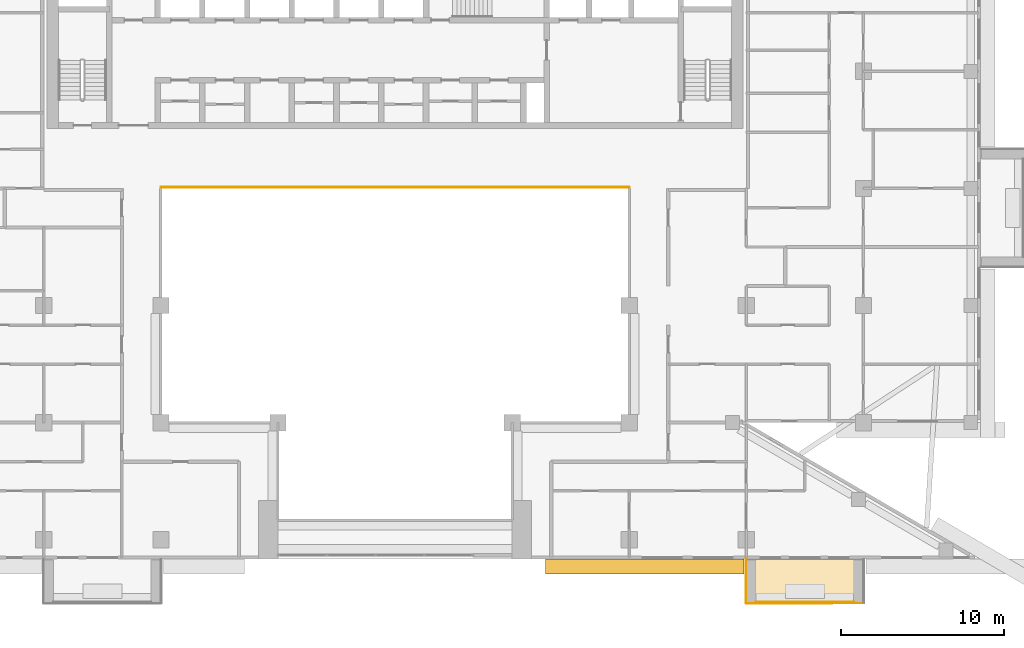
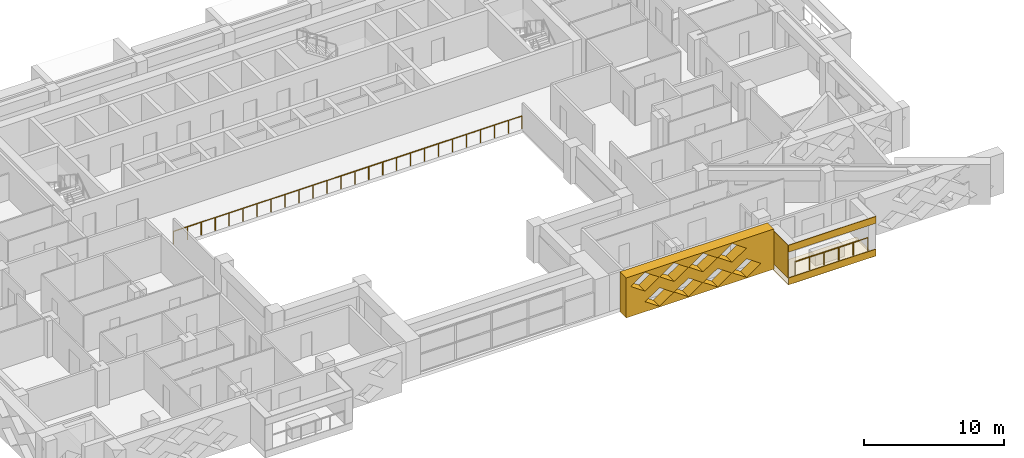
# One storey, part 16 of 20: 5 coverings, 2 railings.
"""IFC4 building model written with IfcOpenShell, lengths in metres."""

from ifc_helpers import new_model, si_unit, direction, frame, origin, origin_2d, place, context, subcontext, project, spatial, polyline, circle, outline, extrude, material, layer, layer_set, type_object, element, save


model = new_model("IFC4")

# Units and contexts
model_context = context("Model", 3, precision=1e-05, world=origin(), true_north=direction((0.0, 1.0)))
body_context = subcontext(model_context, "Body", "Model", "MODEL_VIEW")
ifc_project = project(units=[si_unit("LENGTHUNIT", "METRE"), si_unit("AREAUNIT", "SQUARE_METRE"), si_unit("VOLUMEUNIT", "CUBIC_METRE"), si_unit("PLANEANGLEUNIT", "RADIAN"), si_unit("MASSUNIT", "GRAM", prefix="KILO")], contexts=[model_context])

# Site, building, storey
site_placement = place(None, origin())
site = spatial("IfcSite", under=ifc_project, at=site_placement, CompositionType="ELEMENT")
building_placement = place(site_placement, origin())
building = spatial("IfcBuilding", under=site, at=building_placement, Name="Saffron Iwan Residences", CompositionType="ELEMENT")
storey_placement = place(building_placement, frame((0.0, 0.0, 150.0)))
storey = spatial("IfcBuildingStorey", under=building, at=storey_placement, Name="L39", CompositionType="ELEMENT", Elevation=150.0)

# Railings
ifc_material_1 = material(Name="Stainless steel 316", Category="steel")
railing_type_1 = type_object("IfcRailingType", Name="Atrium guard 1150", PredefinedType="GUARDRAIL", material=ifc_material_1)
railing_1_placement = place(storey_placement, frame((36.0, 62.47509765625, 0.0)))
element("IfcRailing", 1, at=railing_1_placement, inside=storey, type_object=railing_type_1, Name="Atrium guard L39", PredefinedType="GUARDRAIL", context=body_context, shape_type="SweptSolid", body=[
    extrude(circle(Radius=0.02392578125, at=origin_2d()), frame((0.0, 0.0, 1.1259765625), z_axis=(1.0, 0.0, 0.0), x_axis=(0.0, 1.0, 0.0)), (0.0, 0.0, 1.0), 28.800048828125),
    extrude(circle(Radius=0.02099609375, at=origin_2d()), origin(), (0.0, 0.0, 1.0), 1.101806640625),
    extrude(circle(Radius=0.02099609375, at=origin_2d()), frame((1.152099609375, 0.0, 0.0)), (0.0, 0.0, 1.0), 1.101806640625),
    extrude(circle(Radius=0.02099609375, at=origin_2d()), frame((2.303955078125, 0.0, 0.0)), (0.0, 0.0, 1.0), 1.101806640625),
    extrude(circle(Radius=0.02099609375, at=origin_2d()), frame((3.4560546875, 0.0, 0.0)), (0.0, 0.0, 1.0), 1.101806640625),
    extrude(circle(Radius=0.02099609375, at=origin_2d()), frame((4.60791015625, 0.0, 0.0)), (0.0, 0.0, 1.0), 1.101806640625),
    extrude(circle(Radius=0.02099609375, at=origin_2d()), frame((5.760009765625, 0.0, 0.0)), (0.0, 0.0, 1.0), 1.101806640625),
    extrude(circle(Radius=0.02099609375, at=origin_2d()), frame((6.912109375, 0.0, 0.0)), (0.0, 0.0, 1.0), 1.101806640625),
    extrude(circle(Radius=0.02099609375, at=origin_2d()), frame((8.06396484375, 0.0, 0.0)), (0.0, 0.0, 1.0), 1.101806640625),
    extrude(circle(Radius=0.02099609375, at=origin_2d()), frame((9.216064453125, 0.0, 0.0)), (0.0, 0.0, 1.0), 1.101806640625),
    extrude(circle(Radius=0.02099609375, at=origin_2d()), frame((10.367919921875, 0.0, 0.0)), (0.0, 0.0, 1.0), 1.101806640625),
    extrude(circle(Radius=0.02099609375, at=origin_2d()), frame((11.52001953125, 0.0, 0.0)), (0.0, 0.0, 1.0), 1.101806640625),
    extrude(circle(Radius=0.02099609375, at=origin_2d()), frame((12.672119140625, 0.0, 0.0)), (0.0, 0.0, 1.0), 1.101806640625),
    extrude(circle(Radius=0.02099609375, at=origin_2d()), frame((13.823974609375, 0.0, 0.0)), (0.0, 0.0, 1.0), 1.101806640625),
    extrude(circle(Radius=0.02099609375, at=origin_2d()), frame((14.97607421875, 0.0, 0.0)), (0.0, 0.0, 1.0), 1.101806640625),
    extrude(circle(Radius=0.02099609375, at=origin_2d()), frame((16.1279296875, 0.0, 0.0)), (0.0, 0.0, 1.0), 1.101806640625),
    extrude(circle(Radius=0.02099609375, at=origin_2d()), frame((17.280029296875, 0.0, 0.0)), (0.0, 0.0, 1.0), 1.101806640625),
    extrude(circle(Radius=0.02099609375, at=origin_2d()), frame((18.43212890625, 0.0, 0.0)), (0.0, 0.0, 1.0), 1.101806640625),
    extrude(circle(Radius=0.02099609375, at=origin_2d()), frame((19.583984375, 0.0, 0.0)), (0.0, 0.0, 1.0), 1.101806640625),
    extrude(circle(Radius=0.02099609375, at=origin_2d()), frame((20.736083984375, 0.0, 0.0)), (0.0, 0.0, 1.0), 1.101806640625),
    extrude(circle(Radius=0.02099609375, at=origin_2d()), frame((21.887939453125, 0.0, 0.0)), (0.0, 0.0, 1.0), 1.101806640625),
    extrude(circle(Radius=0.02099609375, at=origin_2d()), frame((23.0400390625, 0.0, 0.0)), (0.0, 0.0, 1.0), 1.101806640625),
    extrude(circle(Radius=0.02099609375, at=origin_2d()), frame((24.192138671875, 0.0, 0.0)), (0.0, 0.0, 1.0), 1.101806640625),
    extrude(circle(Radius=0.02099609375, at=origin_2d()), frame((25.343994140625, 0.0, 0.0)), (0.0, 0.0, 1.0), 1.101806640625),
    extrude(circle(Radius=0.02099609375, at=origin_2d()), frame((26.49609375, 0.0, 0.0)), (0.0, 0.0, 1.0), 1.101806640625),
    extrude(circle(Radius=0.02099609375, at=origin_2d()), frame((27.64794921875, 0.0, 0.0)), (0.0, 0.0, 1.0), 1.101806640625),
    extrude(circle(Radius=0.02099609375, at=origin_2d()), frame((28.800048828125, 0.0, 0.0)), (0.0, 0.0, 1.0), 1.101806640625),
])
railing_type_2 = type_object("IfcRailingType", Name="BALCONY GUARD 1150", PredefinedType="GUARDRAIL", material=ifc_material_1)
railing_2_placement = place(storey_placement, frame((72.60009765625, 36.97509765625, 0.0)))
element("IfcRailing", 2, at=railing_2_placement, inside=storey, type_object=railing_type_2, Name="Balcony guard L39 11-1", PredefinedType="GUARDRAIL", context=body_context, shape_type="SweptSolid", body=[
    extrude(circle(Radius=0.02392578125, at=origin_2d()), frame((0.0, 0.0, 1.1259765625), z_axis=(1.0, 0.0, 0.0), x_axis=(0.0, 1.0, 0.0)), (0.0, 0.0, 1.0), 6.0),
    extrude(circle(Radius=0.02099609375, at=origin_2d()), origin(), (0.0, 0.0, 1.0), 1.101806640625),
    extrude(circle(Radius=0.02099609375, at=origin_2d()), frame((1.199951171875, 0.0, 0.0)), (0.0, 0.0, 1.0), 1.101806640625),
    extrude(circle(Radius=0.02099609375, at=origin_2d()), frame((2.39990234375, 0.0, 0.0)), (0.0, 0.0, 1.0), 1.101806640625),
    extrude(circle(Radius=0.02099609375, at=origin_2d()), frame((3.60009765625, 0.0, 0.0)), (0.0, 0.0, 1.0), 1.101806640625),
    extrude(circle(Radius=0.02099609375, at=origin_2d()), frame((4.800048828125, 0.0, 0.0)), (0.0, 0.0, 1.0), 1.101806640625),
    extrude(circle(Radius=0.02099609375, at=origin_2d()), frame((6.0, 0.0, 0.0)), (0.0, 0.0, 1.0), 1.101806640625),
])

# Coverings
ifc_material_2 = material(Name="Precast concrete C40/50 white painted", Category="concrete")
ifc_layer = layer(ifc_material_2, 0.050048828125)
ifc_layer_set = layer_set([ifc_layer], Name="Precast concrete C40/50 white painted")
covering_type_1 = type_object("IfcCoveringType", Name="FRAME SKIN PRECAST WHITE 50", PredefinedType="CLADDING", material=ifc_layer_set)
for number, where, name in (
    (3, (0.0, 0.0, -0.60009765625), "Frame skin slab edge L39 11-1"),
    (4, (0.0, 0.0, 2.25), "Frame skin fascia L39 11-1"),
):
    element("IfcCovering", number, at=place(storey_placement, frame(where)), inside=storey, type_object=covering_type_1, Name=name, PredefinedType="CLADDING", context=body_context, shape_type="SweptSolid", body=[
        extrude(outline(polyline([(72.0, 36.85009765625), (79.199951171875, 36.85009765625), (79.199951171875, 36.89990234375), (72.0, 36.89990234375), (72.0, 36.85009765625)])), origin(), (0.0, 0.0, 1.0), 0.60009765625),
    ])
covering_1_placement = place(storey_placement, frame((0.0, 0.0, -0.64990234375)))
element("IfcCovering", 5, at=covering_1_placement, inside=storey, type_object=covering_type_1, Name="Frame skin soffit L39 11-1", PredefinedType="CLADDING", context=body_context, shape_type="SweptSolid", body=[
    extrude(outline(polyline([(72.0, 36.89990234375), (79.199951171875, 36.89990234375), (79.199951171875, 39.60009765625), (72.0, 39.60009765625), (72.0, 36.89990234375)])), origin(), (0.0, 0.0, 1.0), 0.0498046875),
])
covering_2_placement = place(storey_placement, origin())
element("IfcCovering", 6, at=covering_2_placement, inside=storey, type_object=covering_type_1, Name="Frame skin fin L39 11-1a", PredefinedType="CLADDING", context=body_context, shape_type="SweptSolid", body=[
    extrude(outline(polyline([(71.949951171875, 36.89990234375), (72.0, 36.89990234375), (72.0, 39.60009765625), (71.949951171875, 39.60009765625), (71.949951171875, 36.89990234375)])), origin(), (0.0, 0.0, 1.0), 2.85009765625),
])
ifc_material_3 = material(Name="Precast concrete C40/50", Category="concrete")
covering_type_2 = type_object("IfcCoveringType", Name="OUTER SKIN LATTICE SCREEN", PredefinedType="CLADDING", material=ifc_material_3)
covering_3_placement = place(storey_placement, frame((59.64990234375, 39.60009765625, -0.300048828125), z_axis=(0.0, -1.0, 0.0), x_axis=(1.0, 0.0, 0.0)))
element("IfcCovering", 7, at=covering_3_placement, inside=storey, type_object=covering_type_2, Name="OUTER SKIN lattice screen L39 F11.2", PredefinedType="CLADDING", context=body_context, shape_type="SweptSolid", body=[
    extrude(outline(polyline([(0.0, 0.0), (12.199951171875, 0.0), (12.199951171875, 3.5), (0.0, 3.5), (0.0, 0.0)]), holes=[polyline([(1.570068359375, 0.875), (2.75, 0.06005859375), (3.929931640625, 0.875), (2.75, 1.68994140625), (1.570068359375, 0.875)]), polyline([(3.969970703125, 0.875), (5.14990234375, 0.06005859375), (6.330078125, 0.875), (5.14990234375, 1.68994140625), (3.969970703125, 0.875)]), polyline([(6.3701171875, 0.875), (7.550048828125, 0.06005859375), (8.72998046875, 0.875), (7.550048828125, 1.68994140625), (6.3701171875, 0.875)]), polyline([(8.77001953125, 0.875), (9.949951171875, 0.06005859375), (11.1298828125, 0.875), (9.949951171875, 1.68994140625), (8.77001953125, 0.875)]), polyline([(0.3701171875, 2.625), (1.550048828125, 1.81005859375), (2.72998046875, 2.625), (1.550048828125, 3.43994140625), (0.3701171875, 2.625)]), polyline([(2.77001953125, 2.625), (3.949951171875, 1.81005859375), (5.1298828125, 2.625), (3.949951171875, 3.43994140625), (2.77001953125, 2.625)]), polyline([(5.169921875, 2.625), (6.35009765625, 1.81005859375), (7.530029296875, 2.625), (6.35009765625, 3.43994140625), (5.169921875, 2.625)]), polyline([(7.570068359375, 2.625), (8.75, 1.81005859375), (9.929931640625, 2.625), (8.75, 3.43994140625), (7.570068359375, 2.625)])]), origin(), (0.0, 0.0, 1.0), 0.900146484375),
])

save(model, "model.ifc")
